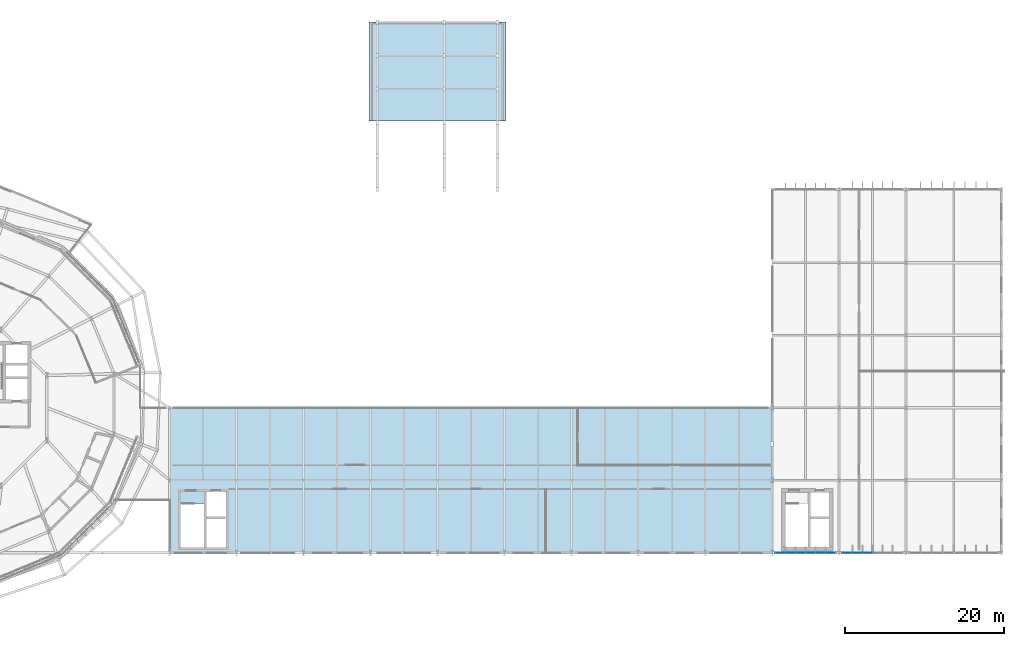
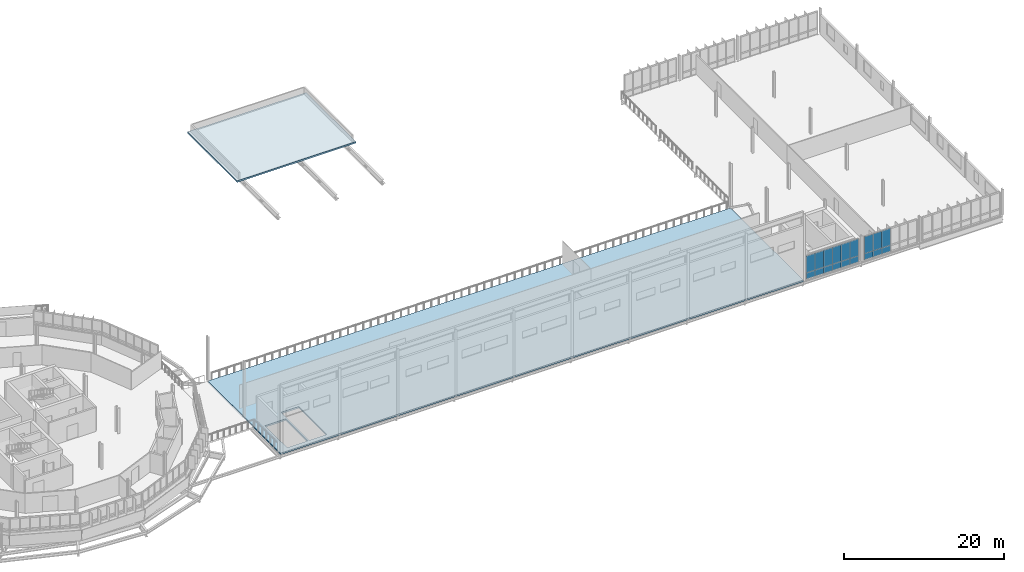
# One storey, part 44 of 61: 18 plates, 2 slabs, 3 elements without a shape of their own.
"""IFC4 building model written with IfcOpenShell, lengths in metres."""

from ifc_helpers import new_model, si_unit, derived_unit, direction, frame, origin, origin_2d, place, context, subcontext, project, spatial, polyline, rectangle, outline, extrude, material, layer, layer_set, type_object, element, aggregate, save


model = new_model("IFC4")

# Units and contexts
model_context = context("Model", 3, precision=1e-05, world=origin(), true_north=direction((0.0, 1.0)))
body_context = subcontext(model_context, "Body", "Model", "MODEL_VIEW")
ifc_project = project(units=[si_unit("LENGTHUNIT", "METRE"), si_unit("AREAUNIT", "SQUARE_METRE"), si_unit("VOLUMEUNIT", "CUBIC_METRE"), si_unit("PLANEANGLEUNIT", "RADIAN"), si_unit("MASSUNIT", "GRAM", prefix="KILO"), derived_unit("THERMALTRANSMITTANCEUNIT", [(si_unit("MASSUNIT", "GRAM", prefix="KILO"), 1), (si_unit("TIMEUNIT", "SECOND"), -3), (si_unit("THERMODYNAMICTEMPERATUREUNIT", "KELVIN"), -1)])], contexts=[model_context])

# Site, building, storey
site_placement = place(None, origin())
site = spatial("IfcSite", under=ifc_project, at=site_placement, CompositionType="ELEMENT")
building_placement = place(site_placement, origin())
building = spatial("IfcBuilding", under=site, at=building_placement, Name="Makaiwela Harbour Ferry Terminal", CompositionType="ELEMENT")
storey_placement = place(building_placement, frame((0.0, 0.0, 13.800048828125)))
storey = spatial("IfcBuildingStorey", under=building, at=storey_placement, Name="L03", CompositionType="ELEMENT", Elevation=13.800048828125)

# Curtain wall, plates
ifc_material_1 = material(Name="Marine anodised aluminium 6063-T6", Category="aluminium")
ifc_layer_1 = layer(ifc_material_1, 0.199951171875)
ifc_layer_set_1 = layer_set([ifc_layer_1], Name="Marine anodised aluminium 6063-T6")
curtain_wall_type = type_object("IfcCurtainWallType", Name="ENV-CW-15", PredefinedType="USERDEFINED", material=ifc_layer_set_1)
curtain_wall_1_placement = place(storey_placement, origin())
curtain_wall_1 = element("IfcCurtainWall", 1, at=curtain_wall_1_placement, inside=storey, type_object=curtain_wall_type, Name="Unitised Curtain Wall CWA-153", ObjectType="UNITIZED CURTAIN WALL", PredefinedType="USERDEFINED")
ifc_material_2 = material(Name="Laminated hurricane-impact low-E insulated glazing", Category="glass")
ifc_layer_2 = layer(ifc_material_2, 0.031982421875)
ifc_layer_set_2 = layer_set([ifc_layer_2], Name="Laminated hurricane-impact low-E insulated glazing")
plate_type_1 = type_object("IfcPlateType", Name="CW-PNL-G20", PredefinedType="CURTAIN_PANEL", material=ifc_layer_set_2)
plate_1_placement = place(storey_placement, frame((145.949951171875, 49.39990234375, 0.949951171875), z_axis=(0.0, 0.0, 1.0), x_axis=(-1.0, 0.0, 0.0)))
plate_1 = element("IfcPlate", 2, at=plate_1_placement, type_object=plate_type_1, Name="Glazed Vision Panel CWA-153-1G", PredefinedType="CURTAIN_PANEL", context=body_context, shape_type="SweptSolid", body=[
    extrude(rectangle(XDim=1.260009765625, YDim=0.031982421875, at=origin_2d()), origin(), (0.0, 0.0, 1.0), 2.60009765625),
])
plate_2_placement = place(storey_placement, frame((144.68994140625, 49.39990234375, 0.949951171875), z_axis=(0.0, 0.0, 1.0), x_axis=(-1.0, 0.0, 0.0)))
plate_2 = element("IfcPlate", 3, at=plate_2_placement, type_object=plate_type_1, Name="Glazed Vision Panel CWA-153-2G", PredefinedType="CURTAIN_PANEL", context=body_context, shape_type="SweptSolid", body=[
    extrude(rectangle(XDim=1.260009765625, YDim=0.031982421875, at=origin_2d()), origin(), (0.0, 0.0, 1.0), 2.60009765625),
])
plate_3_placement = place(storey_placement, frame((143.429931640625, 49.39990234375, 0.949951171875), z_axis=(0.0, 0.0, 1.0), x_axis=(-1.0, 0.0, 0.0)))
plate_3 = element("IfcPlate", 4, at=plate_3_placement, type_object=plate_type_1, Name="Glazed Vision Panel CWA-153-3G", PredefinedType="CURTAIN_PANEL", context=body_context, shape_type="SweptSolid", body=[
    extrude(rectangle(XDim=1.260009765625, YDim=0.031982421875, at=origin_2d()), origin(), (0.0, 0.0, 1.0), 2.60009765625),
])
plate_4_placement = place(storey_placement, frame((142.169921875, 49.39990234375, 0.949951171875), z_axis=(0.0, 0.0, 1.0), x_axis=(-1.0, 0.0, 0.0)))
plate_4 = element("IfcPlate", 5, at=plate_4_placement, type_object=plate_type_1, Name="Glazed Vision Panel CWA-153-4G", PredefinedType="CURTAIN_PANEL", context=body_context, shape_type="SweptSolid", body=[
    extrude(rectangle(XDim=1.260009765625, YDim=0.031982421875, at=origin_2d()), origin(), (0.0, 0.0, 1.0), 2.60009765625),
])
plate_5_placement = place(storey_placement, frame((140.909912109375, 49.39990234375, 0.949951171875), z_axis=(0.0, 0.0, 1.0), x_axis=(-1.0, 0.0, 0.0)))
plate_5 = element("IfcPlate", 6, at=plate_5_placement, type_object=plate_type_1, Name="Glazed Vision Panel CWA-153-5G", PredefinedType="CURTAIN_PANEL", context=body_context, shape_type="SweptSolid", body=[
    extrude(rectangle(XDim=1.260009765625, YDim=0.031982421875, at=origin_2d()), origin(), (0.0, 0.0, 1.0), 2.60009765625),
])
plate_6_placement = place(storey_placement, frame((139.64990234375, 49.39990234375, 0.949951171875), z_axis=(0.0, 0.0, 1.0), x_axis=(-1.0, 0.0, 0.0)))
plate_6 = element("IfcPlate", 7, at=plate_6_placement, type_object=plate_type_1, Name="Glazed Vision Panel CWA-153-6G", PredefinedType="CURTAIN_PANEL", context=body_context, shape_type="SweptSolid", body=[
    extrude(rectangle(XDim=1.260009765625, YDim=0.031982421875, at=origin_2d()), origin(), (0.0, 0.0, 1.0), 2.60009765625),
])

curtain_wall_2_placement = place(storey_placement, origin())
curtain_wall_2 = element("IfcCurtainWall", 8, at=curtain_wall_2_placement, inside=storey, type_object=curtain_wall_type, Name="Unitised Curtain Wall CWA-155", ObjectType="UNITIZED CURTAIN WALL", PredefinedType="USERDEFINED")
plate_7_placement = place(storey_placement, frame((150.570068359375, 49.39990234375, 0.949951171875), z_axis=(0.0, 0.0, 1.0), x_axis=(-1.0, 0.0, 0.0)))
plate_7 = element("IfcPlate", 9, at=plate_7_placement, type_object=plate_type_1, Name="Glazed Vision Panel CWA-155-4G", PredefinedType="CURTAIN_PANEL", context=body_context, shape_type="SweptSolid", body=[
    extrude(rectangle(XDim=1.260009765625, YDim=0.031982421875, at=origin_2d()), origin(), (0.0, 0.0, 1.0), 2.60009765625),
])
plate_8_placement = place(storey_placement, frame((149.31005859375, 49.39990234375, 0.949951171875), z_axis=(0.0, 0.0, 1.0), x_axis=(-1.0, 0.0, 0.0)))
plate_8 = element("IfcPlate", 10, at=plate_8_placement, type_object=plate_type_1, Name="Glazed Vision Panel CWA-155-5G", PredefinedType="CURTAIN_PANEL", context=body_context, shape_type="SweptSolid", body=[
    extrude(rectangle(XDim=1.260009765625, YDim=0.031982421875, at=origin_2d()), origin(), (0.0, 0.0, 1.0), 2.60009765625),
])
plate_9_placement = place(storey_placement, frame((148.050048828125, 49.39990234375, 0.949951171875), z_axis=(0.0, 0.0, 1.0), x_axis=(-1.0, 0.0, 0.0)))
plate_9 = element("IfcPlate", 11, at=plate_9_placement, type_object=plate_type_1, Name="Glazed Vision Panel CWA-155-6G", PredefinedType="CURTAIN_PANEL", context=body_context, shape_type="SweptSolid", body=[
    extrude(rectangle(XDim=1.260009765625, YDim=0.031982421875, at=origin_2d()), origin(), (0.0, 0.0, 1.0), 2.60009765625),
])

# Plate
ifc_material_3 = material(Name="Insulated marine aluminium spandrel panel", Category="aluminium")
ifc_layer_3 = layer(ifc_material_3, 0.048095703125)
ifc_layer_set_3 = layer_set([ifc_layer_3], Name="Insulated marine aluminium spandrel panel")
plate_type_2 = type_object("IfcPlateType", Name="CW-PNL-S11", PredefinedType="CURTAIN_PANEL", material=ifc_layer_set_3)
plate_10_placement = place(storey_placement, frame((145.949951171875, 49.39990234375, 0.0), z_axis=(0.0, 0.0, 1.0), x_axis=(-1.0, 0.0, 0.0)))
plate_10 = element("IfcPlate", 12, at=plate_10_placement, type_object=plate_type_2, Name="Spandrel Panel CWA-153-1S", PredefinedType="CURTAIN_PANEL", context=body_context, shape_type="SweptSolid", body=[
    extrude(rectangle(XDim=1.260009765625, YDim=0.048095703125, at=origin_2d()), origin(), (0.0, 0.0, 1.0), 0.949951171875),
])

plate_11_placement = place(storey_placement, frame((144.68994140625, 49.39990234375, 0.0), z_axis=(0.0, 0.0, 1.0), x_axis=(-1.0, 0.0, 0.0)))
plate_11 = element("IfcPlate", 13, at=plate_11_placement, type_object=plate_type_2, Name="Spandrel Panel CWA-153-2S", PredefinedType="CURTAIN_PANEL", context=body_context, shape_type="SweptSolid", body=[
    extrude(rectangle(XDim=1.260009765625, YDim=0.048095703125, at=origin_2d()), origin(), (0.0, 0.0, 1.0), 0.949951171875),
])

plate_12_placement = place(storey_placement, frame((143.429931640625, 49.39990234375, 0.0), z_axis=(0.0, 0.0, 1.0), x_axis=(-1.0, 0.0, 0.0)))
plate_12 = element("IfcPlate", 14, at=plate_12_placement, type_object=plate_type_2, Name="Spandrel Panel CWA-153-3S", PredefinedType="CURTAIN_PANEL", context=body_context, shape_type="SweptSolid", body=[
    extrude(rectangle(XDim=1.260009765625, YDim=0.048095703125, at=origin_2d()), origin(), (0.0, 0.0, 1.0), 0.949951171875),
])

plate_13_placement = place(storey_placement, frame((142.169921875, 49.39990234375, 0.0), z_axis=(0.0, 0.0, 1.0), x_axis=(-1.0, 0.0, 0.0)))
plate_13 = element("IfcPlate", 15, at=plate_13_placement, type_object=plate_type_2, Name="Spandrel Panel CWA-153-4S", PredefinedType="CURTAIN_PANEL", context=body_context, shape_type="SweptSolid", body=[
    extrude(rectangle(XDim=1.260009765625, YDim=0.048095703125, at=origin_2d()), origin(), (0.0, 0.0, 1.0), 0.949951171875),
])

plate_14_placement = place(storey_placement, frame((140.909912109375, 49.39990234375, 0.0), z_axis=(0.0, 0.0, 1.0), x_axis=(-1.0, 0.0, 0.0)))
plate_14 = element("IfcPlate", 16, at=plate_14_placement, type_object=plate_type_2, Name="Spandrel Panel CWA-153-5S", PredefinedType="CURTAIN_PANEL", context=body_context, shape_type="SweptSolid", body=[
    extrude(rectangle(XDim=1.260009765625, YDim=0.048095703125, at=origin_2d()), origin(), (0.0, 0.0, 1.0), 0.949951171875),
])

plate_15_placement = place(storey_placement, frame((139.64990234375, 49.39990234375, 0.0), z_axis=(0.0, 0.0, 1.0), x_axis=(-1.0, 0.0, 0.0)))
plate_15 = element("IfcPlate", 17, at=plate_15_placement, type_object=plate_type_2, Name="Spandrel Panel CWA-153-6S", PredefinedType="CURTAIN_PANEL", context=body_context, shape_type="SweptSolid", body=[
    extrude(rectangle(XDim=1.260009765625, YDim=0.048095703125, at=origin_2d()), origin(), (0.0, 0.0, 1.0), 0.949951171875),
])

aggregate(curtain_wall_1, [plate_10, plate_1, plate_11, plate_2, plate_12, plate_3, plate_13, plate_4, plate_14, plate_5, plate_15, plate_6])

plate_16_placement = place(storey_placement, frame((150.570068359375, 49.39990234375, 0.0), z_axis=(0.0, 0.0, 1.0), x_axis=(-1.0, 0.0, 0.0)))
plate_16 = element("IfcPlate", 18, at=plate_16_placement, type_object=plate_type_2, Name="Spandrel Panel CWA-155-4S", PredefinedType="CURTAIN_PANEL", context=body_context, shape_type="SweptSolid", body=[
    extrude(rectangle(XDim=1.260009765625, YDim=0.048095703125, at=origin_2d()), origin(), (0.0, 0.0, 1.0), 0.949951171875),
])

plate_17_placement = place(storey_placement, frame((149.31005859375, 49.39990234375, 0.0), z_axis=(0.0, 0.0, 1.0), x_axis=(-1.0, 0.0, 0.0)))
plate_17 = element("IfcPlate", 19, at=plate_17_placement, type_object=plate_type_2, Name="Spandrel Panel CWA-155-5S", PredefinedType="CURTAIN_PANEL", context=body_context, shape_type="SweptSolid", body=[
    extrude(rectangle(XDim=1.260009765625, YDim=0.048095703125, at=origin_2d()), origin(), (0.0, 0.0, 1.0), 0.949951171875),
])

plate_18_placement = place(storey_placement, frame((148.050048828125, 49.39990234375, 0.0), z_axis=(0.0, 0.0, 1.0), x_axis=(-1.0, 0.0, 0.0)))
plate_18 = element("IfcPlate", 20, at=plate_18_placement, type_object=plate_type_2, Name="Spandrel Panel CWA-155-6S", PredefinedType="CURTAIN_PANEL", context=body_context, shape_type="SweptSolid", body=[
    extrude(rectangle(XDim=1.260009765625, YDim=0.048095703125, at=origin_2d()), origin(), (0.0, 0.0, 1.0), 0.949951171875),
])

aggregate(curtain_wall_2, [plate_16, plate_7, plate_17, plate_8, plate_18, plate_9])

# Slab
ifc_material_4 = material(Name="Concrete f'c 35 MPa (5000 psi)", Category="concrete")
ifc_layer_4 = layer(ifc_material_4, 0.239990234375)
ifc_layer_set_4 = layer_set([ifc_layer_4], Name="Concrete f'c 35 MPa (5000 psi)")
slab_type_1 = type_object("IfcSlabType", Name="SLB-FLR-240", PredefinedType="FLOOR", material=ifc_layer_set_4)
slab_1_placement = place(storey_placement, frame((0.0, 0.0, -0.239990234375)))
element("IfcSlab", 21, at=slab_1_placement, inside=storey, type_object=slab_type_1, Name="Slab SLB-039", PredefinedType="FLOOR", context=body_context, shape_type="SweptSolid", body=[
    extrude(outline(polyline([(63.001953125, 67.60009765625), (63.0, 55.998046875), (63.0, 49.39990234375), (138.60009765625, 49.39990234375), (138.60009765625, 67.60009765625), (63.001953125, 67.60009765625)]), holes=[polyline([(64.330078125, 50.030029296875), (64.330078125, 55.56005859375), (67.31005859375, 55.56005859375), (67.31005859375, 50.030029296875), (64.330078125, 50.030029296875)]), polyline([(67.52001953125, 50.030029296875), (67.52001953125, 57.070068359375), (70.070068359375, 57.070068359375), (70.070068359375, 50.030029296875), (67.52001953125, 50.030029296875)])]), origin(), (0.0, 0.0, 1.0), 0.239990234375),
])

# Roof, slab
ifc_material_5 = material(Name="Standing-seam marine zinc roofing", Category="aluminium")
ifc_layer_5 = layer(ifc_material_5, 0.219970703125)
ifc_layer_set_5 = layer_set([ifc_layer_5], Name="Standing-seam marine zinc roofing")
roof_type = type_object("IfcRoofType", Name="RF-FLAT-01", PredefinedType="FLAT_ROOF", material=ifc_layer_set_5)
roof_placement = place(storey_placement, origin())
roof = element("IfcRoof", 22, at=roof_placement, inside=storey, type_object=roof_type, Name="Roof Assembly RF-01", PredefinedType="FLAT_ROOF")
ifc_layer_6 = layer(ifc_material_4, 0.239990234375)
ifc_layer_set_6 = layer_set([ifc_layer_6], Name="Concrete f'c 35 MPa (5000 psi)")
slab_type_2 = type_object("IfcSlabType", Name="SLB-RF-240", PredefinedType="ROOF", material=ifc_layer_set_6)
slab_2_placement = place(storey_placement, frame((0.0, 0.0, -0.239990234375)))
slab_2 = element("IfcSlab", 23, at=slab_2_placement, type_object=slab_type_2, Name="Slab SLB-041", PredefinedType="ROOF", context=body_context, shape_type="SweptSolid", body=[
    extrude(outline(polyline([(88.02001953125, 103.60009765625), (105.179931640625, 103.60009765625), (105.179931640625, 116.0), (88.02001953125, 116.0), (88.02001953125, 103.60009765625)])), origin(), (0.0, 0.0, 1.0), 0.239990234375),
])
aggregate(roof, [slab_2])

save(model, "model.ifc")
